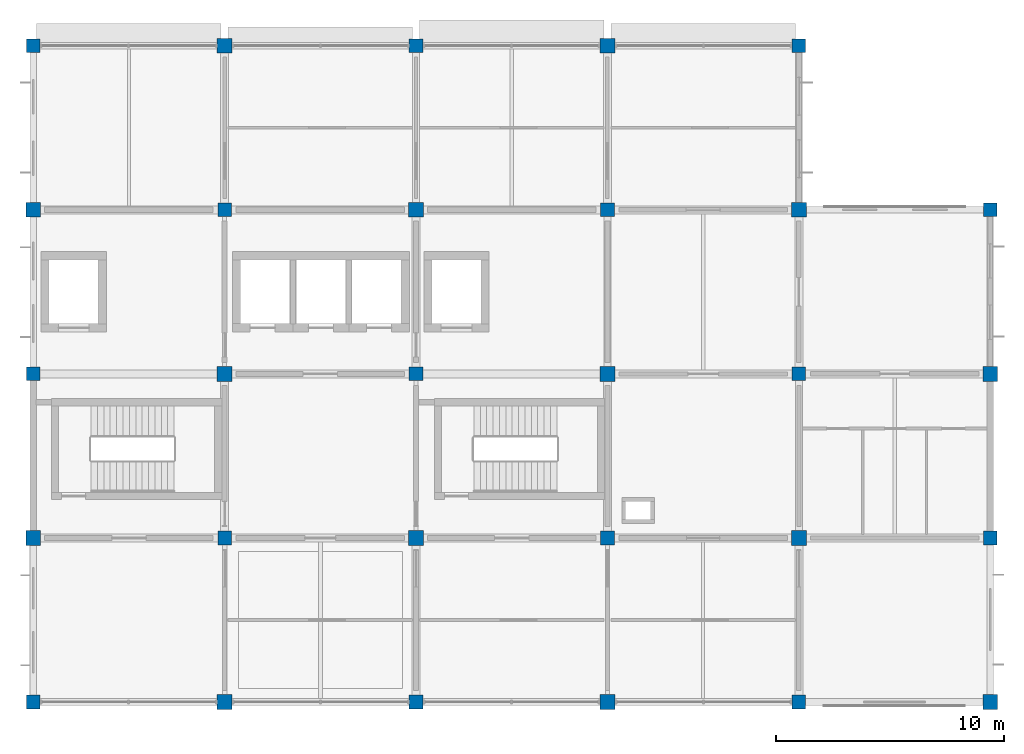
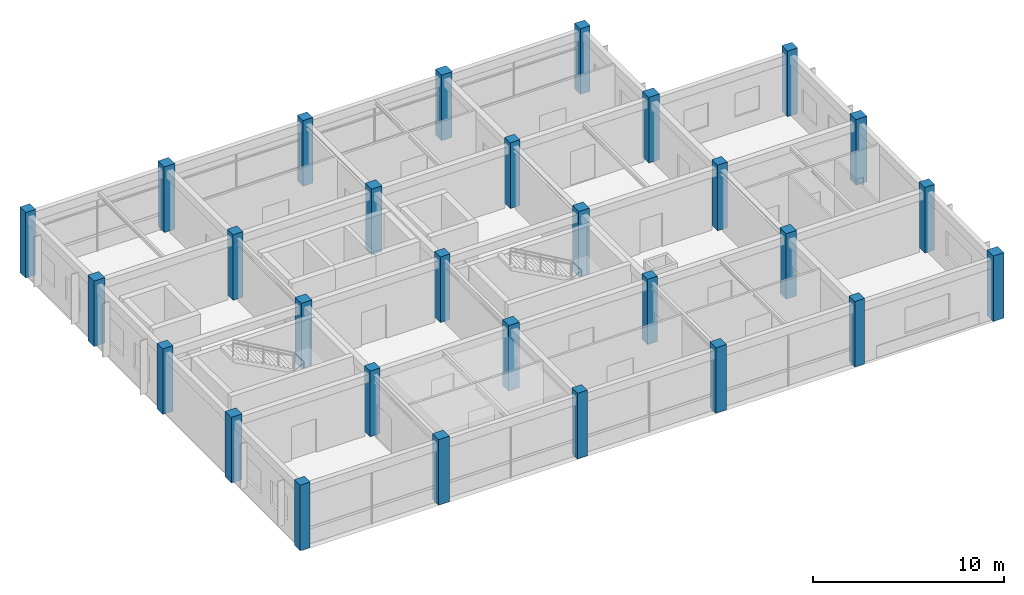
# One storey, part 1 of 13: 29 columns.
"""IFC4 building model written with IfcOpenShell, lengths in metres."""

from ifc_helpers import new_model, si_unit, derived_unit, direction, frame, origin, origin_2d, place, context, subcontext, project, spatial, rectangle, extrude, material, material_profile, profile_set, type_object, element, save


model = new_model("IFC4")

# Units and contexts
model_context = context("Model", 3, precision=1e-05, world=origin(), true_north=direction((0.0, 1.0)))
body_context = subcontext(model_context, "Body", "Model", "MODEL_VIEW")
ifc_project = project(units=[si_unit("LENGTHUNIT", "METRE"), si_unit("AREAUNIT", "SQUARE_METRE"), si_unit("VOLUMEUNIT", "CUBIC_METRE"), si_unit("PLANEANGLEUNIT", "RADIAN"), si_unit("MASSUNIT", "GRAM", prefix="KILO"), derived_unit("THERMALTRANSMITTANCEUNIT", [(si_unit("MASSUNIT", "GRAM", prefix="KILO"), 1), (si_unit("TIMEUNIT", "SECOND"), -3), (si_unit("THERMODYNAMICTEMPERATUREUNIT", "KELVIN"), -1)])], contexts=[model_context])

# Site, building, storey
site_placement = place(None, origin())
site = spatial("IfcSite", under=ifc_project, at=site_placement, CompositionType="ELEMENT")
building_placement = place(site_placement, origin())
building = spatial("IfcBuilding", under=site, at=building_placement, Name="Veldstrom Oceanarium and Marine Research Institute", CompositionType="ELEMENT")
storey_placement = place(building_placement, frame((0.0, 0.0, 56.39990234375)))
storey = spatial("IfcBuildingStorey", under=building, at=storey_placement, Name="L12", CompositionType="ELEMENT", Elevation=56.39990234375)

# Columns
ifc_material_1 = material(Name="Concrete C50/60", Category="concrete")
ifc_material_profile_1 = material_profile(ifc_material_1, rectangle(XDim=0.64990234375, YDim=0.64990234375, at=origin_2d()), Name="RC-COL-650x650")
ifc_profile_set_1 = profile_set([ifc_material_profile_1], Name="Concrete C50/60")
column_type_1 = type_object("IfcColumnType", Name="STR-COL-C07", PredefinedType="COLUMN", material=ifc_profile_set_1)
for number, where, z_axis, x_axis, name in (
    (1, (75.60009765625, 50.39990234375, 0.0), (0.0, 0.0, 1.0), (1.0, 0.0, 0.0), "Column C07 10/H L12"),
    (2, (75.60009765625, 64.800048828125, 0.0), (0.0, 0.0, 1.0), (1.0, 0.0, 0.0), "Column C07 10/K L12"),
    (3, (84.0, 43.199951171875, 0.0), (0.0, 0.0, 1.0), (1.0, 0.0, 0.0), "Column C07 11/G L12"),
    (4, (84.0, 57.60009765625, 0.0), (0.0, 0.0, 1.0), (1.0, 0.0, 0.0), "Column C07 11/J L12"),
    (5, (84.0, 72.0, 0.0), (0.0, 0.0, 1.0), (1.0, 0.0, 0.0), "Column C07 11/L L12"),
    (6, (92.39990234375, 50.39990234375, 0.0), (0.0, 0.0, 1.0), (1.0, 0.0, 0.0), "Column C07 12/H L12"),
    (7, (92.39990234375, 64.800048828125, 0.0), (0.0, 0.0, 1.0), (1.0, 0.0, 0.0), "Column C07 12/K L12"),
    (8, (100.800048828125, 43.199951171875, 0.0), (0.0, 0.0, 1.0), (1.0, 0.0, 0.0), "Column C07 13/G L12"),
    (9, (100.800048828125, 57.60009765625, 0.0), (0.0, 0.0, 1.0), (1.0, 0.0, 0.0), "Column C07 13/J L12"),
    (10, (100.800048828125, 72.0, 0.0), (0.0, 0.0, 1.0), (1.0, 0.0, 0.0), "Column C07 13/L L12"),
    (11, (109.199951171875, 50.39990234375, 0.0), (0.0, 0.0, 1.0), (1.0, 0.0, 0.0), "Column C07 14/H L12"),
    (12, (109.199951171875, 64.800048828125, 0.0), (0.0, 0.0, 1.0), (1.0, 0.0, 0.0), "Column C07 14/K L12"),
    (13, (117.60009765625, 43.199951171875, 0.0), (0.0, 0.0, 1.0), (1.0, 0.0, 0.0), "Column C07 15/G L12"),
    (14, (117.60009765625, 57.60009765625, 0.0), (0.0, 0.0, 1.0), (1.0, 0.0, 0.0), "Column C07 15/J L12"),
):
    element("IfcColumn", number, at=place(storey_placement, frame(where, z_axis=z_axis, x_axis=x_axis)), inside=storey, type_object=column_type_1, Name=name, PredefinedType="COLUMN", context=body_context, shape_type="SweptSolid", body=[
        extrude(rectangle(XDim=0.64990234375, YDim=0.64990234375, at=origin_2d()), origin(), (0.0, 0.0, 1.0), 4.2001953125),
    ])
ifc_material_2 = material(Name="Concrete C50/60", Category="concrete")
ifc_material_profile_2 = material_profile(ifc_material_2, rectangle(XDim=0.60009765625, YDim=0.60009765625, at=origin_2d()), Name="RC-COL-600x600")
ifc_profile_set_2 = profile_set([ifc_material_profile_2], Name="Concrete C50/60")
column_type_2 = type_object("IfcColumnType", Name="STR-COL-C08", PredefinedType="COLUMN", material=ifc_profile_set_2)
for number, where, z_axis, x_axis, name in (
    (15, (75.60009765625, 43.199951171875, 0.0), (0.0, 0.0, 1.0), (1.0, 0.0, 0.0), "Column C08 10/G L12"),
    (16, (75.60009765625, 57.60009765625, 0.0), (0.0, 0.0, 1.0), (1.0, 0.0, 0.0), "Column C08 10/J L12"),
    (17, (75.60009765625, 72.0, 0.0), (0.0, 0.0, 1.0), (1.0, 0.0, 0.0), "Column C08 10/L L12"),
    (18, (84.0, 50.39990234375, 0.0), (0.0, 0.0, 1.0), (1.0, 0.0, 0.0), "Column C08 11/H L12"),
    (19, (84.0, 64.800048828125, 0.0), (0.0, 0.0, 1.0), (1.0, 0.0, 0.0), "Column C08 11/K L12"),
    (20, (92.39990234375, 43.199951171875, 0.0), (0.0, 0.0, 1.0), (1.0, 0.0, 0.0), "Column C08 12/G L12"),
    (21, (92.39990234375, 57.60009765625, 0.0), (0.0, 0.0, 1.0), (1.0, 0.0, 0.0), "Column C08 12/J L12"),
    (22, (92.39990234375, 72.0, 0.0), (0.0, 0.0, 1.0), (1.0, 0.0, 0.0), "Column C08 12/L L12"),
    (23, (100.800048828125, 50.39990234375, 0.0), (0.0, 0.0, 1.0), (1.0, 0.0, 0.0), "Column C08 13/H L12"),
    (24, (100.800048828125, 64.800048828125, 0.0), (0.0, 0.0, 1.0), (1.0, 0.0, 0.0), "Column C08 13/K L12"),
    (25, (109.199951171875, 43.199951171875, 0.0), (0.0, 0.0, 1.0), (1.0, 0.0, 0.0), "Column C08 14/G L12"),
    (26, (109.199951171875, 57.60009765625, 0.0), (0.0, 0.0, 1.0), (1.0, 0.0, 0.0), "Column C08 14/J L12"),
    (27, (109.199951171875, 72.0, 0.0), (0.0, 0.0, 1.0), (1.0, 0.0, 0.0), "Column C08 14/L L12"),
    (28, (117.60009765625, 50.39990234375, 0.0), (0.0, 0.0, 1.0), (1.0, 0.0, 0.0), "Column C08 15/H L12"),
    (29, (117.60009765625, 64.800048828125, 0.0), (0.0, 0.0, 1.0), (1.0, 0.0, 0.0), "Column C08 15/K L12"),
):
    element("IfcColumn", number, at=place(storey_placement, frame(where, z_axis=z_axis, x_axis=x_axis)), inside=storey, type_object=column_type_2, Name=name, PredefinedType="COLUMN", context=body_context, shape_type="SweptSolid", body=[
        extrude(rectangle(XDim=0.60009765625, YDim=0.60009765625, at=origin_2d()), origin(), (0.0, 0.0, 1.0), 4.2001953125),
    ])

save(model, "model.ifc")
